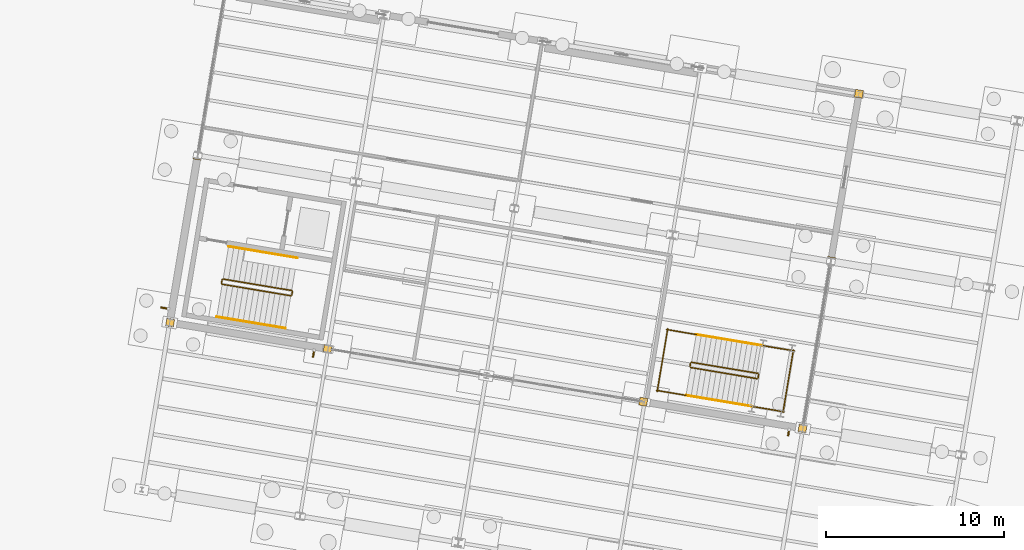
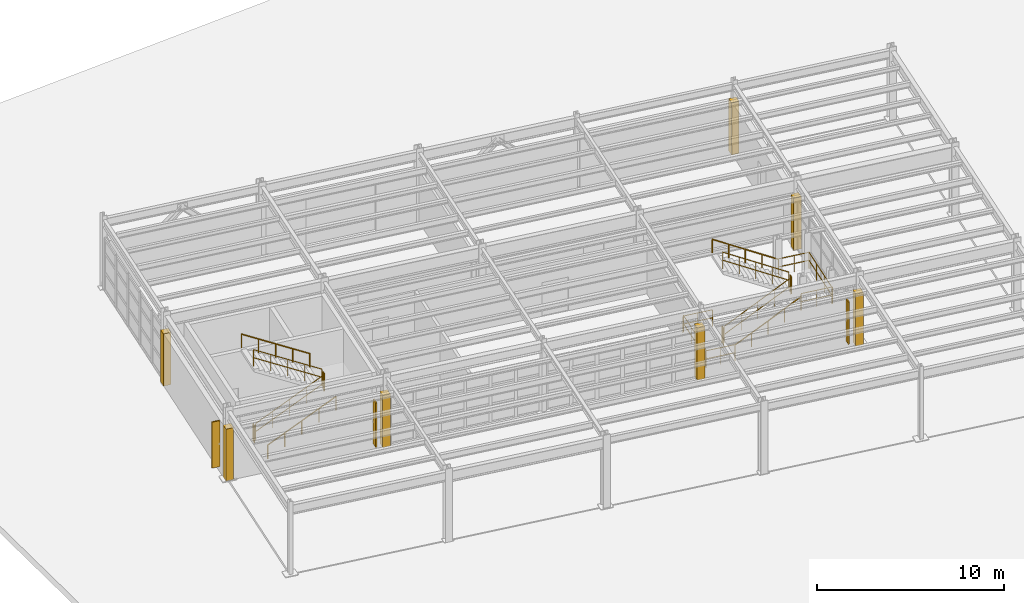
# One storey, part 103 of 108: 18 railings, 7 coverings, 3 shading devices.
"""IFC4 building model written with IfcOpenShell, lengths in metres."""

from ifc_helpers import new_model, si_unit, direction, frame, origin, origin_2d, place, context, subcontext, project, spatial, rectangle, circle, extrude, material, layer, layer_set, type_object, element, save


model = new_model("IFC4")

# Units and contexts
model_context = context("Model", 3, precision=1e-05, world=origin(), true_north=direction((0.0, 1.0)))
body_context = subcontext(model_context, "Body", "Model", "MODEL_VIEW")
ifc_project = project(units=[si_unit("LENGTHUNIT", "METRE"), si_unit("AREAUNIT", "SQUARE_METRE"), si_unit("VOLUMEUNIT", "CUBIC_METRE"), si_unit("PLANEANGLEUNIT", "RADIAN"), si_unit("MASSUNIT", "GRAM", prefix="KILO")], contexts=[model_context])

# Site, building, storey
site_placement = place(None, origin())
site = spatial("IfcSite", under=ifc_project, at=site_placement, CompositionType="ELEMENT")
building_placement = place(site_placement, origin())
building = spatial("IfcBuilding", under=site, at=building_placement, Name="Vireo Bluff Cable Station", CompositionType="ELEMENT")
storey_placement = place(building_placement, origin())
storey = spatial("IfcBuildingStorey", under=building, at=storey_placement, Name="L00", CompositionType="ELEMENT", Elevation=0.0)

# Coverings
ifc_material_1 = material(Name="Precast concrete f'c 45 MPa", Category="concrete")
ifc_layer = layer(ifc_material_1, 0.0400390625, Name="Precast concrete f'c 45 MPa")
ifc_layer_set = layer_set([ifc_layer], Name="Precast concrete f'c 45 MPa")
covering_type = type_object("IfcCoveringType", Name="COL-CLOSURE-WRAP", PredefinedType="CLADDING", material=ifc_layer_set)
for number, where, z_axis, x_axis, name in (
    (1, (42.552001953125, 74.931640625, 0.0), (0.0, 0.0, 1.0), (0.986285601537, -0.165047605861, 0.0), "V4 L00 column pocket closure"),
    (2, (33.622802734375, 76.426025390625, 0.0), (0.0, 0.0, 1.0), (0.986285601537, -0.165047605861, 0.0), "V4 L00 column pocket closure"),
    (3, (15.919921875, 79.388427734375, 0.0), (0.0, 0.0, 1.0), (0.986285601537, -0.165047605861, 0.0), "V4 L00 column pocket closure"),
    (4, (7.090087890625, 80.865966796875, 0.0), (0.0, 0.0, 1.0), (0.986285601537, -0.165047605861, 0.0), "V4 L00 column pocket closure"),
    (5, (8.63232421875, 90.21826171875, 0.0), (0.0, 0.0, 1.0), (0.986285601537, -0.165047605861, 0.0), "V4 L00 column pocket closure"),
    (6, (45.71435546875, 93.692138671875, 0.0), (0.0, 0.0, 1.0), (0.986285601537, -0.165047605861, 0.0), "V4 L00 column pocket closure"),
    (7, (44.147216796875, 84.327880859375, 0.0), (0.0, 0.0, 1.0), (0.986285601537, -0.165047605861, 0.0), "V4 L00 column pocket closure"),
):
    element("IfcCovering", number, at=place(storey_placement, frame(where, z_axis=z_axis, x_axis=x_axis)), inside=storey, type_object=covering_type, Name=name, PredefinedType="CLADDING", context=body_context, shape_type="SweptSolid", body=[
        extrude(rectangle(XDim=0.43994140625, YDim=0.43994140625, at=origin_2d()), origin(), (0.0, 0.0, 1.0), 3.39990234375),
    ])

# Shading devices
ifc_material_2 = material(Name="Extruded Terracotta Solar Fin", Category="masonry")
shading_device_type_1 = type_object("IfcShadingDeviceType", Name="SOLARFIN-360X2750", PredefinedType="SHUTTER", material=ifc_material_2)
shading_device_1_placement = place(storey_placement, frame((41.77099609375, 74.687255859375, 0.47509765625), z_axis=(0.0, 0.0, 1.0), x_axis=(-0.986285608693, 0.165047563101, 0.0)))
element("IfcShadingDevice", 8, at=shading_device_1_placement, inside=storey, type_object=shading_device_type_1, Name="V4 L00 solar brise-soleil fin 25", PredefinedType="SHUTTER", context=body_context, shape_type="SweptSolid", body=[
    extrude(rectangle(XDim=0.080078125, YDim=0.360107421875, at=origin_2d()), origin(), (0.0, 0.0, 1.0), 2.75),
])
shading_device_type_2 = type_object("IfcShadingDeviceType", Name="SOLARFIN-400X2900", PredefinedType="SHUTTER", material=ifc_material_2)
shading_device_2_placement = place(storey_placement, frame((15.134765625, 79.119384765625, 0.400146484375), z_axis=(0.0, 0.0, 1.0), x_axis=(-0.986285611922, 0.165047543804, 0.0)))
element("IfcShadingDevice", 9, at=shading_device_2_placement, inside=storey, type_object=shading_device_type_2, Name="V4 L00 solar brise-soleil fin 26", PredefinedType="SHUTTER", context=body_context, shape_type="SweptSolid", body=[
    extrude(rectangle(XDim=0.080078125, YDim=0.39990234375, at=origin_2d()), origin(), (0.0, 0.0, 1.0), 2.89990234375),
])
shading_device_type_3 = type_object("IfcShadingDeviceType", Name="SOLARFIN-440X3000", PredefinedType="SHUTTER", material=ifc_material_2)
shading_device_3_placement = place(storey_placement, frame((6.77783203125, 81.68017578125, 0.35009765625), z_axis=(0.0, 0.0, 1.0), x_axis=(0.165047600421, 0.986285602448, 0.0)))
element("IfcShadingDevice", 10, at=shading_device_3_placement, inside=storey, type_object=shading_device_type_3, Name="V4 L00 solar brise-soleil fin 27", PredefinedType="SHUTTER", context=body_context, shape_type="SweptSolid", body=[
    extrude(rectangle(XDim=0.080078125, YDim=0.43994140625, at=origin_2d()), origin(), (0.0, 0.0, 1.0), 3.0),
])

# Railings
ifc_material_3 = material(Name="Stainless Steel 316", Category="steel")
railing_type_1 = type_object("IfcRailingType", Name="STAIR-GUARD-1100", PredefinedType="GUARDRAIL", material=ifc_material_3)
railing_1_placement = place(storey_placement, frame((10.01220703125, 83.01318359375, 0.17138671875)))
element("IfcRailing", 11, at=railing_1_placement, inside=storey, type_object=railing_type_1, Name="L00 ST-03 stair guard 1", PredefinedType="GUARDRAIL", context=body_context, shape_type="SweptSolid", body=[
    extrude(circle(Radius=0.02392578125, at=origin_2d()), frame((0.0, 0.0, 1.076171875), z_axis=(0.856333247145, -0.143329150919, 0.496135187556), x_axis=(0.165079100715, 0.986280330589, 0.0)), (0.0, 0.0, 1.0), 4.49169921875),
    extrude(circle(Radius=0.02392578125, at=origin_2d()), frame((0.0, 0.0, 0.550048828125), z_axis=(0.856333247145, -0.143329150919, 0.496135187556), x_axis=(0.165079100715, 0.986280330589, 0.0)), (0.0, 0.0, 1.0), 4.49169921875),
    extrude(circle(Radius=0.02099609375, at=origin_2d()), origin(), (0.0, 0.0, 1.0), 1.052001953125),
    extrude(circle(Radius=0.02099609375, at=origin_2d()), frame((0.961669921875, -0.160888671875, 0.55712890625)), (0.0, 0.0, 1.0), 1.052001953125),
    extrude(circle(Radius=0.02099609375, at=origin_2d()), frame((1.92333984375, -0.32177734375, 1.1142578125)), (0.0, 0.0, 1.0), 1.052001953125),
    extrude(circle(Radius=0.02099609375, at=origin_2d()), frame((2.884765625, -0.48291015625, 1.67138671875)), (0.0, 0.0, 1.0), 1.052001953125),
    extrude(circle(Radius=0.02099609375, at=origin_2d()), frame((3.846435546875, -0.643798828125, 2.228515625)), (0.0, 0.0, 1.0), 1.052001953125),
])
railing_2_placement = place(storey_placement, frame((13.916259765625, 82.41064453125, 2.39990234375)))
element("IfcRailing", 12, at=railing_2_placement, inside=storey, type_object=railing_type_1, Name="L00 ST-03 stair guard 2", PredefinedType="GUARDRAIL", context=body_context, shape_type="SweptSolid", body=[
    extrude(circle(Radius=0.02392578125, at=origin_2d()), frame((0.0, 0.0, 1.076171875), z_axis=(0.164794877674, 0.986327860446, 0.0), x_axis=(-0.986327860446, 0.164794877674, 0.0)), (0.0, 0.0, 1.0), 0.199951171875),
    extrude(circle(Radius=0.02392578125, at=origin_2d()), frame((0.0, 0.0, 0.550048828125), z_axis=(0.164794877674, 0.986327860446, 0.0), x_axis=(-0.986327860446, 0.164794877674, 0.0)), (0.0, 0.0, 1.0), 0.199951171875),
    extrude(circle(Radius=0.02099609375, at=origin_2d()), origin(), (0.0, 0.0, 1.0), 1.052001953125),
    extrude(circle(Radius=0.02099609375, at=origin_2d()), frame((0.032958984375, 0.197265625, 0.0)), (0.0, 0.0, 1.0), 1.052001953125),
])
railing_3_placement = place(storey_placement, frame((13.908203125, 82.665283203125, 2.571533203125)))
element("IfcRailing", 13, at=railing_3_placement, inside=storey, type_object=railing_type_1, Name="L00 ST-03 stair guard 3", PredefinedType="GUARDRAIL", context=body_context, shape_type="SweptSolid", body=[
    extrude(circle(Radius=0.02392578125, at=origin_2d()), frame((0.0, 0.0, 1.076171875), z_axis=(-0.856347741747, 0.143322480007, 0.496112096133), x_axis=(-0.165068908983, -0.986282036381, 0.0)), (0.0, 0.0, 1.0), 4.491943359375),
    extrude(circle(Radius=0.02392578125, at=origin_2d()), frame((0.0, 0.0, 0.550048828125), z_axis=(-0.856347741747, 0.143322480007, 0.496112096133), x_axis=(-0.165068908983, -0.986282036381, 0.0)), (0.0, 0.0, 1.0), 4.491943359375),
    extrude(circle(Radius=0.02099609375, at=origin_2d()), origin(), (0.0, 0.0, 1.0), 1.052001953125),
    extrude(circle(Radius=0.02099609375, at=origin_2d()), frame((-0.961669921875, 0.160888671875, 0.55712890625)), (0.0, 0.0, 1.0), 1.052001953125),
    extrude(circle(Radius=0.02099609375, at=origin_2d()), frame((-1.92333984375, 0.32177734375, 1.1142578125)), (0.0, 0.0, 1.0), 1.052001953125),
    extrude(circle(Radius=0.02099609375, at=origin_2d()), frame((-2.885009765625, 0.48291015625, 1.67138671875)), (0.0, 0.0, 1.0), 1.052001953125),
    extrude(circle(Radius=0.02099609375, at=origin_2d()), frame((-3.8466796875, 0.643798828125, 2.228515625)), (0.0, 0.0, 1.0), 1.052001953125),
])
railing_4_placement = place(storey_placement, frame((9.970947265625, 83.07080078125, 0.0)))
element("IfcRailing", 14, at=railing_4_placement, inside=storey, type_object=railing_type_1, Name="L00 ST-03 stair guard 4", PredefinedType="GUARDRAIL", context=body_context, shape_type="SweptSolid", body=[
    extrude(circle(Radius=0.02392578125, at=origin_2d()), frame((0.0, 0.0, 1.076171875), z_axis=(0.16598207031, 0.986128770666, 0.0), x_axis=(-0.986128770666, 0.16598207031, 0.0)), (0.0, 0.0, 1.0), 0.199951171875),
    extrude(circle(Radius=0.02392578125, at=origin_2d()), frame((0.0, 0.0, 0.550048828125), z_axis=(0.16598207031, 0.986128770666, 0.0), x_axis=(-0.986128770666, 0.16598207031, 0.0)), (0.0, 0.0, 1.0), 0.199951171875),
    extrude(circle(Radius=0.02099609375, at=origin_2d()), origin(), (0.0, 0.0, 1.0), 1.052001953125),
    extrude(circle(Radius=0.02099609375, at=origin_2d()), frame((0.033203125, 0.197265625, 0.0)), (0.0, 0.0, 1.0), 1.052001953125),
])
railing_5_placement = place(storey_placement, frame((36.28173828125, 78.343505859375, 0.17138671875)))
element("IfcRailing", 15, at=railing_5_placement, inside=storey, type_object=railing_type_1, Name="L00 ST-08 stair guard 1", PredefinedType="GUARDRAIL", context=body_context, shape_type="SweptSolid", body=[
    extrude(circle(Radius=0.02392578125, at=origin_2d()), frame((0.0, 0.0, 1.076171875), z_axis=(0.849037096041, -0.142100824544, 0.508864780871), x_axis=(0.165071043986, 0.986281679054, 0.0)), (0.0, 0.0, 1.0), 4.37939453125),
    extrude(circle(Radius=0.02392578125, at=origin_2d()), frame((0.0, 0.0, 0.550048828125), z_axis=(0.849037096041, -0.142100824544, 0.508864780871), x_axis=(0.165071043986, 0.986281679054, 0.0)), (0.0, 0.0, 1.0), 4.37939453125),
    extrude(circle(Radius=0.02099609375, at=origin_2d()), origin(), (0.0, 0.0, 1.0), 1.052001953125),
    extrude(circle(Radius=0.02099609375, at=origin_2d()), frame((0.9296875, -0.155517578125, 0.55712890625)), (0.0, 0.0, 1.0), 1.052001953125),
    extrude(circle(Radius=0.02099609375, at=origin_2d()), frame((1.859130859375, -0.31103515625, 1.1142578125)), (0.0, 0.0, 1.0), 1.052001953125),
    extrude(circle(Radius=0.02099609375, at=origin_2d()), frame((2.78857421875, -0.466796875, 1.67138671875)), (0.0, 0.0, 1.0), 1.052001953125),
    extrude(circle(Radius=0.02099609375, at=origin_2d()), frame((3.71826171875, -0.622314453125, 2.228515625)), (0.0, 0.0, 1.0), 1.052001953125),
])
railing_6_placement = place(storey_placement, frame((40.0576171875, 77.76220703125, 2.39990234375)))
element("IfcRailing", 16, at=railing_6_placement, inside=storey, type_object=railing_type_1, Name="L00 ST-08 stair guard 2", PredefinedType="GUARDRAIL", context=body_context, shape_type="SweptSolid", body=[
    extrude(circle(Radius=0.02392578125, at=origin_2d()), frame((0.0, 0.0, 1.076171875), z_axis=(0.164794877674, 0.986327860446, 0.0), x_axis=(-0.986327860446, 0.164794877674, 0.0)), (0.0, 0.0, 1.0), 0.199951171875),
    extrude(circle(Radius=0.02392578125, at=origin_2d()), frame((0.0, 0.0, 0.550048828125), z_axis=(0.164794877674, 0.986327860446, 0.0), x_axis=(-0.986327860446, 0.164794877674, 0.0)), (0.0, 0.0, 1.0), 0.199951171875),
    extrude(circle(Radius=0.02099609375, at=origin_2d()), origin(), (0.0, 0.0, 1.0), 1.052001953125),
    extrude(circle(Radius=0.02099609375, at=origin_2d()), frame((0.032958984375, 0.197265625, 0.0)), (0.0, 0.0, 1.0), 1.052001953125),
])
for number, where, name in (
    (17, (39.7392578125, 76.162841796875, 2.39990234375), "L00 ST-08 stair guard 3"),
    (18, (40.310302734375, 79.575439453125, 2.39990234375), "L00 ST-08 stair guard 4"),
):
    element("IfcRailing", number, at=place(storey_placement, frame(where)), inside=storey, type_object=railing_type_1, Name=name, PredefinedType="GUARDRAIL", context=body_context, shape_type="SweptSolid", body=[
        extrude(circle(Radius=0.02392578125, at=origin_2d()), frame((0.0, 0.0, 1.076171875), z_axis=(0.986280039017, -0.165080842729, 0.0), x_axis=(0.165080842729, 0.986280039017, 0.0)), (0.0, 0.0, 1.0), 1.7998046875),
        extrude(circle(Radius=0.02392578125, at=origin_2d()), frame((0.0, 0.0, 0.550048828125), z_axis=(0.986280039017, -0.165080842729, 0.0), x_axis=(0.165080842729, 0.986280039017, 0.0)), (0.0, 0.0, 1.0), 1.7998046875),
        extrude(circle(Radius=0.02099609375, at=origin_2d()), origin(), (0.0, 0.0, 1.0), 1.052001953125),
        extrude(circle(Radius=0.02099609375, at=origin_2d()), frame((0.8876953125, -0.1484375, 0.0)), (0.0, 0.0, 1.0), 1.052001953125),
        extrude(circle(Radius=0.02099609375, at=origin_2d()), frame((1.775146484375, -0.297119140625, 0.0)), (0.0, 0.0, 1.0), 1.052001953125),
    ])
railing_7_placement = place(storey_placement, frame((41.45703125, 75.82470703125, 2.39990234375)))
element("IfcRailing", 19, at=railing_7_placement, inside=storey, type_object=railing_type_1, Name="L00 ST-08 stair guard 5", PredefinedType="GUARDRAIL", context=body_context, shape_type="SweptSolid", body=[
    extrude(circle(Radius=0.02392578125, at=origin_2d()), frame((0.0, 0.0, 1.076171875), z_axis=(0.164999480661, 0.986293653727, 0.0), x_axis=(-0.986293653727, 0.164999480661, 0.0)), (0.0, 0.0, 1.0), 3.56005859375),
    extrude(circle(Radius=0.02392578125, at=origin_2d()), frame((0.0, 0.0, 0.550048828125), z_axis=(0.164999480661, 0.986293653727, 0.0), x_axis=(-0.986293653727, 0.164999480661, 0.0)), (0.0, 0.0, 1.0), 3.56005859375),
    extrude(circle(Radius=0.02099609375, at=origin_2d()), origin(), (0.0, 0.0, 1.0), 1.052001953125),
    extrude(circle(Radius=0.02099609375, at=origin_2d()), frame((0.19580078125, 1.17041015625, 0.0)), (0.0, 0.0, 1.0), 1.052001953125),
    extrude(circle(Radius=0.02099609375, at=origin_2d()), frame((0.3916015625, 2.3408203125, 0.0)), (0.0, 0.0, 1.0), 1.052001953125),
    extrude(circle(Radius=0.02099609375, at=origin_2d()), frame((0.58740234375, 3.51123046875, 0.0)), (0.0, 0.0, 1.0), 1.052001953125),
])
railing_8_placement = place(storey_placement, frame((40.049560546875, 78.01708984375, 2.571533203125)))
element("IfcRailing", 20, at=railing_8_placement, inside=storey, type_object=railing_type_1, Name="L00 ST-08 stair guard 6", PredefinedType="GUARDRAIL", context=body_context, shape_type="SweptSolid", body=[
    extrude(circle(Radius=0.02392578125, at=origin_2d()), frame((0.0, 0.0, 1.076171875), z_axis=(-0.84905265612, 0.142094098907, 0.508840696281), x_axis=(-0.165060501438, -0.986283443471, 0.0)), (0.0, 0.0, 1.0), 4.379638671875),
    extrude(circle(Radius=0.02392578125, at=origin_2d()), frame((0.0, 0.0, 0.550048828125), z_axis=(-0.84905265612, 0.142094098907, 0.508840696281), x_axis=(-0.165060501438, -0.986283443471, 0.0)), (0.0, 0.0, 1.0), 4.379638671875),
    extrude(circle(Radius=0.02099609375, at=origin_2d()), origin(), (0.0, 0.0, 1.0), 1.052001953125),
    extrude(circle(Radius=0.02099609375, at=origin_2d()), frame((-0.9296875, 0.155517578125, 0.55712890625)), (0.0, 0.0, 1.0), 1.052001953125),
    extrude(circle(Radius=0.02099609375, at=origin_2d()), frame((-1.859375, 0.31103515625, 1.1142578125)), (0.0, 0.0, 1.0), 1.052001953125),
    extrude(circle(Radius=0.02099609375, at=origin_2d()), frame((-2.788818359375, 0.466796875, 1.67138671875)), (0.0, 0.0, 1.0), 1.052001953125),
    extrude(circle(Radius=0.02099609375, at=origin_2d()), frame((-3.718505859375, 0.622314453125, 2.228515625)), (0.0, 0.0, 1.0), 1.052001953125),
])
railing_9_placement = place(storey_placement, frame((36.240478515625, 78.40087890625, 0.0)))
element("IfcRailing", 21, at=railing_9_placement, inside=storey, type_object=railing_type_1, Name="L00 ST-08 stair guard 7", PredefinedType="GUARDRAIL", context=body_context, shape_type="SweptSolid", body=[
    extrude(circle(Radius=0.02392578125, at=origin_2d()), frame((0.0, 0.0, 1.076171875), z_axis=(0.16598207031, 0.986128770666, 0.0), x_axis=(-0.986128770666, 0.16598207031, 0.0)), (0.0, 0.0, 1.0), 0.199951171875),
    extrude(circle(Radius=0.02392578125, at=origin_2d()), frame((0.0, 0.0, 0.550048828125), z_axis=(0.16598207031, 0.986128770666, 0.0), x_axis=(-0.986128770666, 0.16598207031, 0.0)), (0.0, 0.0, 1.0), 0.199951171875),
    extrude(circle(Radius=0.02099609375, at=origin_2d()), origin(), (0.0, 0.0, 1.0), 1.052001953125),
    extrude(circle(Radius=0.02099609375, at=origin_2d()), frame((0.033203125, 0.197265625, 0.0)), (0.0, 0.0, 1.0), 1.052001953125),
])
railing_10_placement = place(storey_placement, frame((34.364013671875, 77.062255859375, 0.0)))
element("IfcRailing", 22, at=railing_10_placement, inside=storey, type_object=railing_type_1, Name="L00 ST-08 stair guard 8", PredefinedType="GUARDRAIL", context=body_context, shape_type="SweptSolid", body=[
    extrude(circle(Radius=0.02392578125, at=origin_2d()), frame((0.0, 0.0, 1.076171875), z_axis=(0.986299484919, -0.164964620599, 0.0), x_axis=(0.164964620599, 0.986299484919, 0.0)), (0.0, 0.0, 1.0), 1.6796875),
    extrude(circle(Radius=0.02392578125, at=origin_2d()), frame((0.0, 0.0, 0.550048828125), z_axis=(0.986299484919, -0.164964620599, 0.0), x_axis=(0.164964620599, 0.986299484919, 0.0)), (0.0, 0.0, 1.0), 1.6796875),
    extrude(circle(Radius=0.02099609375, at=origin_2d()), origin(), (0.0, 0.0, 1.0), 1.052001953125),
    extrude(circle(Radius=0.02099609375, at=origin_2d()), frame((0.828369140625, -0.138671875, 0.0)), (0.0, 0.0, 1.0), 1.052001953125),
    extrude(circle(Radius=0.02099609375, at=origin_2d()), frame((1.65673828125, -0.277099609375, 0.0)), (0.0, 0.0, 1.0), 1.052001953125),
])
railing_11_placement = place(storey_placement, frame((34.93505859375, 80.474853515625, 0.0)))
element("IfcRailing", 23, at=railing_11_placement, inside=storey, type_object=railing_type_1, Name="L00 ST-08 stair guard 9", PredefinedType="GUARDRAIL", context=body_context, shape_type="SweptSolid", body=[
    extrude(circle(Radius=0.02392578125, at=origin_2d()), frame((0.0, 0.0, 1.076171875), z_axis=(0.986303439342, -0.164940975932, 0.0), x_axis=(0.164940975932, 0.986303439342, 0.0)), (0.0, 0.0, 1.0), 1.679931640625),
    extrude(circle(Radius=0.02392578125, at=origin_2d()), frame((0.0, 0.0, 0.550048828125), z_axis=(0.986303439342, -0.164940975932, 0.0), x_axis=(0.164940975932, 0.986303439342, 0.0)), (0.0, 0.0, 1.0), 1.679931640625),
    extrude(circle(Radius=0.02099609375, at=origin_2d()), origin(), (0.0, 0.0, 1.0), 1.052001953125),
    extrude(circle(Radius=0.02099609375, at=origin_2d()), frame((0.82861328125, -0.138671875, 0.0)), (0.0, 0.0, 1.0), 1.052001953125),
    extrude(circle(Radius=0.02099609375, at=origin_2d()), frame((1.656982421875, -0.277099609375, 0.0)), (0.0, 0.0, 1.0), 1.052001953125),
])
railing_12_placement = place(storey_placement, frame((34.405029296875, 77.0048828125, 0.0)))
element("IfcRailing", 24, at=railing_12_placement, inside=storey, type_object=railing_type_1, Name="L00 ST-08 stair guard 10", PredefinedType="GUARDRAIL", context=body_context, shape_type="SweptSolid", body=[
    extrude(circle(Radius=0.02392578125, at=origin_2d()), frame((0.0, 0.0, 1.076171875), z_axis=(0.165010641703, 0.986291786504, 0.0), x_axis=(-0.986291786504, 0.165010641703, 0.0)), (0.0, 0.0, 1.0), 3.559814453125),
    extrude(circle(Radius=0.02392578125, at=origin_2d()), frame((0.0, 0.0, 0.550048828125), z_axis=(0.165010641703, 0.986291786504, 0.0), x_axis=(-0.986291786504, 0.165010641703, 0.0)), (0.0, 0.0, 1.0), 3.559814453125),
    extrude(circle(Radius=0.02099609375, at=origin_2d()), origin(), (0.0, 0.0, 1.0), 1.052001953125),
    extrude(circle(Radius=0.02099609375, at=origin_2d()), frame((0.19580078125, 1.17041015625, 0.0)), (0.0, 0.0, 1.0), 1.052001953125),
    extrude(circle(Radius=0.02099609375, at=origin_2d()), frame((0.3916015625, 2.340576171875, 0.0)), (0.0, 0.0, 1.0), 1.052001953125),
    extrude(circle(Radius=0.02099609375, at=origin_2d()), frame((0.58740234375, 3.510986328125, 0.0)), (0.0, 0.0, 1.0), 1.052001953125),
])
railing_type_2 = type_object("IfcRailingType", Name="STAIR-HANDRAIL-900", PredefinedType="HANDRAIL", material=ifc_material_3)
railing_13_placement = place(storey_placement, frame((9.706787109375, 81.1884765625, 0.17138671875)))
element("IfcRailing", 25, at=railing_13_placement, inside=storey, type_object=railing_type_2, Name="L00 ST-03 stair handrail 1", PredefinedType="HANDRAIL", context=body_context, shape_type="SweptSolid", body=[
    extrude(circle(Radius=0.02392578125, at=origin_2d()), frame((0.0, 0.0, 0.8759765625), z_axis=(0.856339917124, -0.143275913776, 0.496139051952), x_axis=(0.165018204621, 0.986290521167, 0.0)), (0.0, 0.0, 1.0), 4.49169921875),
    extrude(circle(Radius=0.02099609375, at=origin_2d()), origin(), (0.0, 0.0, 1.0), 0.851806640625),
    extrude(circle(Radius=0.02099609375, at=origin_2d()), frame((0.961669921875, -0.160888671875, 0.55712890625)), (0.0, 0.0, 1.0), 0.851806640625),
    extrude(circle(Radius=0.02099609375, at=origin_2d()), frame((1.92333984375, -0.32177734375, 1.1142578125)), (0.0, 0.0, 1.0), 0.851806640625),
    extrude(circle(Radius=0.02099609375, at=origin_2d()), frame((2.884765625, -0.482666015625, 1.67138671875)), (0.0, 0.0, 1.0), 0.851806640625),
    extrude(circle(Radius=0.02099609375, at=origin_2d()), frame((3.846435546875, -0.6435546875, 2.228515625)), (0.0, 0.0, 1.0), 0.851806640625),
])
railing_14_placement = place(storey_placement, frame((14.21337890625, 84.489990234375, 2.571533203125)))
element("IfcRailing", 26, at=railing_14_placement, inside=storey, type_object=railing_type_2, Name="L00 ST-03 stair handrail 2", PredefinedType="HANDRAIL", context=body_context, shape_type="SweptSolid", body=[
    extrude(circle(Radius=0.02392578125, at=origin_2d()), frame((0.0, 0.0, 0.8759765625), z_axis=(-0.856333247145, 0.143329150919, 0.496135187556), x_axis=(-0.165079100715, -0.986280330589, 0.0)), (0.0, 0.0, 1.0), 4.49169921875),
    extrude(circle(Radius=0.02099609375, at=origin_2d()), origin(), (0.0, 0.0, 1.0), 0.851806640625),
    extrude(circle(Radius=0.02099609375, at=origin_2d()), frame((-0.961669921875, 0.160888671875, 0.55712890625)), (0.0, 0.0, 1.0), 0.851806640625),
    extrude(circle(Radius=0.02099609375, at=origin_2d()), frame((-1.92333984375, 0.32177734375, 1.1142578125)), (0.0, 0.0, 1.0), 0.851806640625),
    extrude(circle(Radius=0.02099609375, at=origin_2d()), frame((-2.884765625, 0.48291015625, 1.67138671875)), (0.0, 0.0, 1.0), 0.851806640625),
    extrude(circle(Radius=0.02099609375, at=origin_2d()), frame((-3.846435546875, 0.643798828125, 2.228515625)), (0.0, 0.0, 1.0), 0.851806640625),
])
railing_15_placement = place(storey_placement, frame((36.020751953125, 76.78515625, 0.17138671875)))
element("IfcRailing", 27, at=railing_15_placement, inside=storey, type_object=railing_type_2, Name="L00 ST-08 stair handrail 1", PredefinedType="HANDRAIL", context=body_context, shape_type="SweptSolid", body=[
    extrude(circle(Radius=0.02392578125, at=origin_2d()), frame((0.0, 0.0, 0.8759765625), z_axis=(0.84905265612, -0.142094098907, 0.508840696281), x_axis=(0.165060501438, 0.986283443471, 0.0)), (0.0, 0.0, 1.0), 4.379638671875),
    extrude(circle(Radius=0.02099609375, at=origin_2d()), origin(), (0.0, 0.0, 1.0), 0.851806640625),
    extrude(circle(Radius=0.02099609375, at=origin_2d()), frame((0.9296875, -0.155517578125, 0.55712890625)), (0.0, 0.0, 1.0), 0.851806640625),
    extrude(circle(Radius=0.02099609375, at=origin_2d()), frame((1.859375, -0.31103515625, 1.1142578125)), (0.0, 0.0, 1.0), 0.851806640625),
    extrude(circle(Radius=0.02099609375, at=origin_2d()), frame((2.788818359375, -0.466796875, 1.67138671875)), (0.0, 0.0, 1.0), 0.851806640625),
    extrude(circle(Radius=0.02099609375, at=origin_2d()), frame((3.718505859375, -0.622314453125, 2.228515625)), (0.0, 0.0, 1.0), 0.851806640625),
])
railing_16_placement = place(storey_placement, frame((40.310302734375, 79.575439453125, 2.571533203125)))
element("IfcRailing", 28, at=railing_16_placement, inside=storey, type_object=railing_type_2, Name="L00 ST-08 stair handrail 2", PredefinedType="HANDRAIL", context=body_context, shape_type="SweptSolid", body=[
    extrude(circle(Radius=0.02392578125, at=origin_2d()), frame((0.0, 0.0, 0.8759765625), z_axis=(-0.849037096041, 0.142100824544, 0.508864780871), x_axis=(-0.165071043986, -0.986281679054, 0.0)), (0.0, 0.0, 1.0), 4.37939453125),
    extrude(circle(Radius=0.02099609375, at=origin_2d()), origin(), (0.0, 0.0, 1.0), 0.851806640625),
    extrude(circle(Radius=0.02099609375, at=origin_2d()), frame((-0.9296875, 0.155517578125, 0.55712890625)), (0.0, 0.0, 1.0), 0.851806640625),
    extrude(circle(Radius=0.02099609375, at=origin_2d()), frame((-1.859130859375, 0.31103515625, 1.1142578125)), (0.0, 0.0, 1.0), 0.851806640625),
    extrude(circle(Radius=0.02099609375, at=origin_2d()), frame((-2.78857421875, 0.466796875, 1.67138671875)), (0.0, 0.0, 1.0), 0.851806640625),
    extrude(circle(Radius=0.02099609375, at=origin_2d()), frame((-3.71826171875, 0.622314453125, 2.228515625)), (0.0, 0.0, 1.0), 0.851806640625),
])

save(model, "model.ifc")
